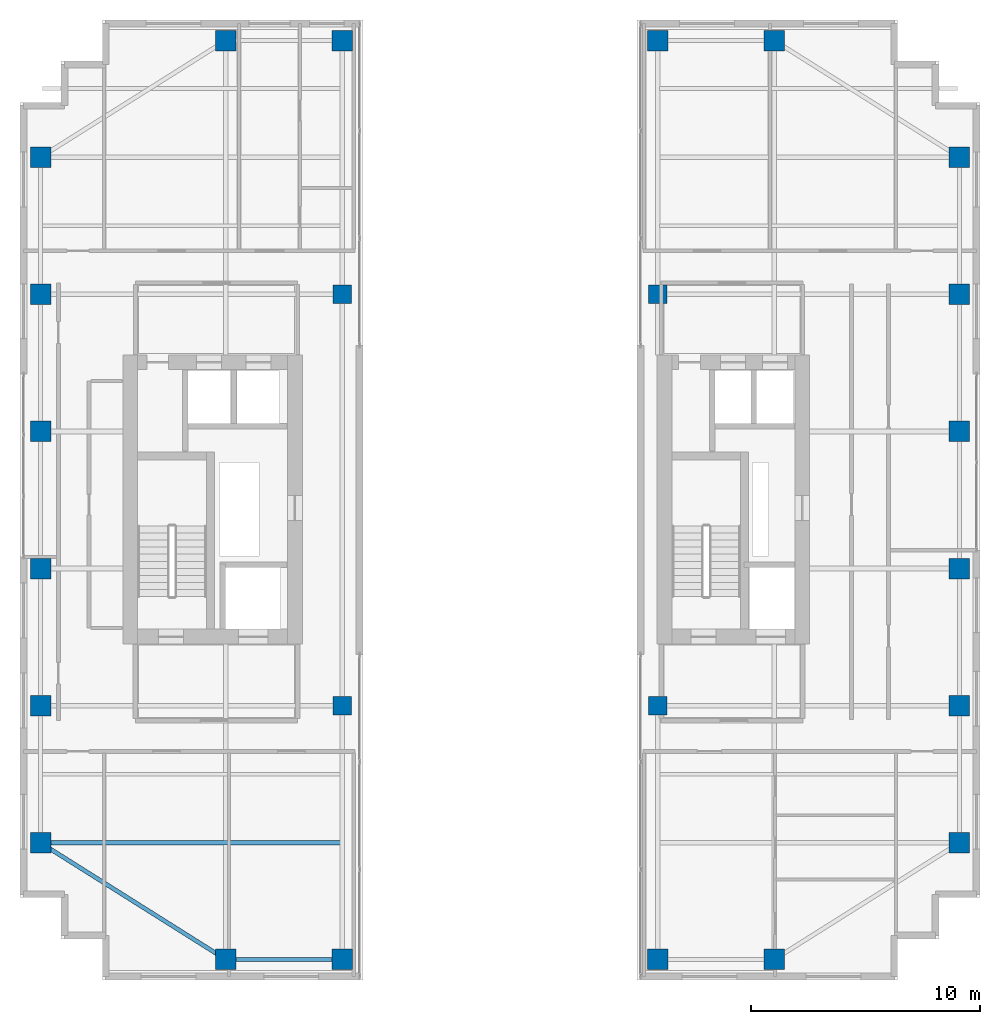
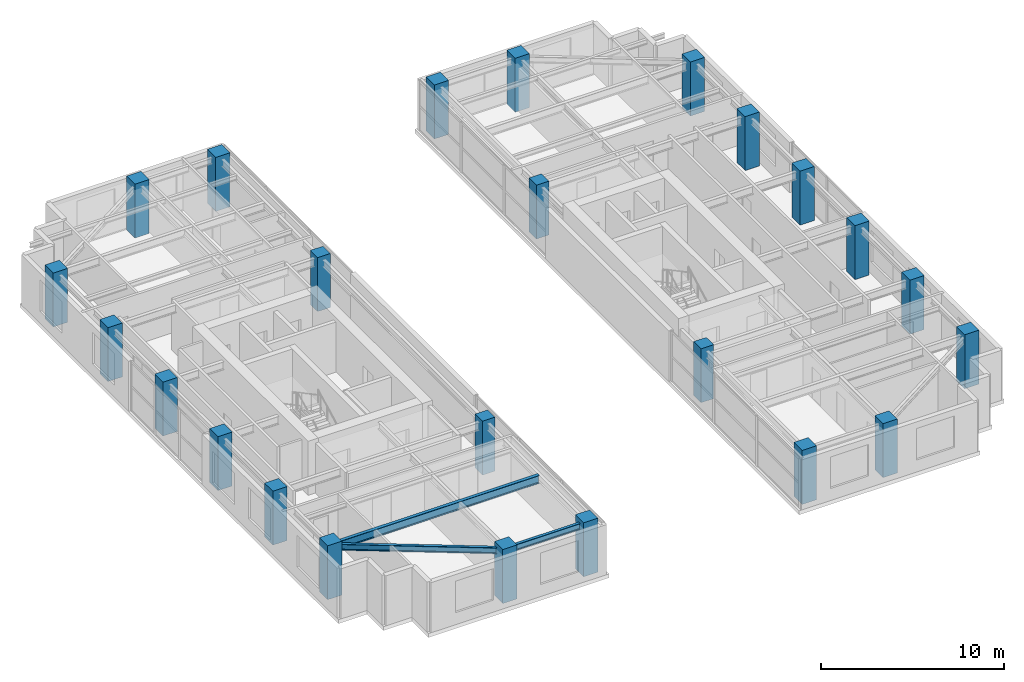
# One storey, part 1 of 22: 24 columns, 3 beams.
"""IFC4 building model written with IfcOpenShell, lengths in metres."""

from ifc_helpers import new_model, si_unit, direction, frame, origin, origin_2d, place, context, subcontext, project, spatial, rectangle, i_section, extrude, source, transform, mapped, material, material_profile, profile_set, type_object, element, save


model = new_model("IFC4")

# Units and contexts
model_context = context("Model", 3, precision=1e-05, world=origin(), true_north=direction((0.0, 1.0)))
body_context = subcontext(model_context, "Body", "Model", "MODEL_VIEW")
ifc_project = project(units=[si_unit("LENGTHUNIT", "METRE"), si_unit("AREAUNIT", "SQUARE_METRE"), si_unit("VOLUMEUNIT", "CUBIC_METRE"), si_unit("PLANEANGLEUNIT", "RADIAN"), si_unit("MASSUNIT", "GRAM", prefix="KILO")], contexts=[model_context])

# Site, building, storey
site_placement = place(None, origin())
site = spatial("IfcSite", under=ifc_project, at=site_placement, CompositionType="ELEMENT")
building_placement = place(site_placement, origin())
building = spatial("IfcBuilding", under=site, at=building_placement, Name="Khoralis Quay Care Tower", CompositionType="ELEMENT")
storey_placement = place(building_placement, frame((0.0, 0.0, 184.5)))
storey = spatial("IfcBuildingStorey", under=building, at=storey_placement, Name="L48", CompositionType="ELEMENT", Elevation=184.5)

# Columns
ifc_material_1 = material(Name="Concrete C65/80", Category="concrete")
ifc_material_profile_1 = material_profile(ifc_material_1, rectangle(XDim=0.89990234375, YDim=0.89990234375, at=origin_2d()), Name="Concrete C65/80")
ifc_profile_set_1 = profile_set([ifc_material_profile_1], Name="Concrete C65/80")
column_type_1 = type_object("IfcColumnType", Name="COL-C900", PredefinedType="COLUMN", material=ifc_profile_set_1)
shared_shape_1 = source(origin(), body_context, "Body", "SweptSolid", [
    extrude(rectangle(XDim=0.89990234375, YDim=0.89990234375, at=origin_2d()), origin(), (0.0, 0.0, 1.0), 3.60009765625),
])
for number, where, z_axis, x_axis, name in (
    (1, (12.0, 0.89990234375, 0.0), (0.0, 0.0, 1.0), (1.0, 0.0, 0.0), "COL-TWR-L48-01"),
    (2, (12.0, 41.10009765625, 0.0), (0.0, 0.0, 1.0), (1.0, 0.0, 0.0), "COL-TWR-L48-02"),
    (3, (17.10009765625, 0.89990234375, 0.0), (0.0, 0.0, 1.0), (1.0, 0.0, 0.0), "COL-TWR-L48-03"),
    (4, (17.10009765625, 41.10009765625, 0.0), (0.0, 0.0, 1.0), (1.0, 0.0, 0.0), "COL-TWR-L48-04"),
    (5, (30.89990234375, 0.89990234375, 0.0), (0.0, 0.0, 1.0), (1.0, 0.0, 0.0), "COL-TWR-L48-05"),
    (6, (30.89990234375, 41.10009765625, 0.0), (0.0, 0.0, 1.0), (1.0, 0.0, 0.0), "COL-TWR-L48-06"),
    (7, (36.0, 0.89990234375, 0.0), (0.0, 0.0, 1.0), (1.0, 0.0, 0.0), "COL-TWR-L48-07"),
    (8, (36.0, 41.10009765625, 0.0), (0.0, 0.0, 1.0), (1.0, 0.0, 0.0), "COL-TWR-L48-08"),
    (9, (3.89990234375, 6.0, 0.0), (0.0, 0.0, 1.0), (1.0, 0.0, 0.0), "COL-TWR-L48-09"),
    (10, (44.10009765625, 6.0, 0.0), (0.0, 0.0, 1.0), (1.0, 0.0, 0.0), "COL-TWR-L48-10"),
    (11, (3.89990234375, 12.0, 0.0), (0.0, 0.0, 1.0), (1.0, 0.0, 0.0), "COL-TWR-L48-11"),
    (12, (44.10009765625, 12.0, 0.0), (0.0, 0.0, 1.0), (1.0, 0.0, 0.0), "COL-TWR-L48-12"),
    (13, (3.89990234375, 18.0, 0.0), (0.0, 0.0, 1.0), (1.0, 0.0, 0.0), "COL-TWR-L48-13"),
    (14, (44.10009765625, 18.0, 0.0), (0.0, 0.0, 1.0), (1.0, 0.0, 0.0), "COL-TWR-L48-14"),
    (15, (3.89990234375, 24.0, 0.0), (0.0, 0.0, 1.0), (1.0, 0.0, 0.0), "COL-TWR-L48-15"),
    (16, (44.10009765625, 24.0, 0.0), (0.0, 0.0, 1.0), (1.0, 0.0, 0.0), "COL-TWR-L48-16"),
    (17, (3.89990234375, 30.0, 0.0), (0.0, 0.0, 1.0), (1.0, 0.0, 0.0), "COL-TWR-L48-17"),
    (18, (44.10009765625, 30.0, 0.0), (0.0, 0.0, 1.0), (1.0, 0.0, 0.0), "COL-TWR-L48-18"),
    (19, (3.89990234375, 36.0, 0.0), (0.0, 0.0, 1.0), (1.0, 0.0, 0.0), "COL-TWR-L48-19"),
    (20, (44.10009765625, 36.0, 0.0), (0.0, 0.0, 1.0), (1.0, 0.0, 0.0), "COL-TWR-L48-20"),
):
    element("IfcColumn", number, at=place(storey_placement, frame(where, z_axis=z_axis, x_axis=x_axis)), inside=storey, type_object=column_type_1, Name=name, PredefinedType="COLUMN", context=body_context, shape_type="MappedRepresentation", body=[
        mapped(shared_shape_1, transform((0.0, 0.0, 0.0), scale=1.0)),
    ])
ifc_material_2 = material(Name="Concrete C50/60", Category="concrete")
ifc_material_profile_2 = material_profile(ifc_material_2, rectangle(XDim=0.800048828125, YDim=0.800048828125, at=origin_2d()), Name="Concrete C50/60")
ifc_profile_set_2 = profile_set([ifc_material_profile_2], Name="Concrete C50/60")
column_type_2 = type_object("IfcColumnType", Name="COL-C800", PredefinedType="COLUMN", material=ifc_profile_set_2)
shared_shape_2 = source(origin(), body_context, "Body", "SweptSolid", [
    extrude(rectangle(XDim=0.800048828125, YDim=0.800048828125, at=origin_2d()), origin(), (0.0, 0.0, 1.0), 3.60009765625),
])
for number, where, z_axis, x_axis, name in (
    (21, (17.10009765625, 12.0, 0.0), (0.0, 0.0, 1.0), (1.0, 0.0, 0.0), "COL-TWR-L48-21"),
    (22, (17.10009765625, 30.0, 0.0), (0.0, 0.0, 1.0), (1.0, 0.0, 0.0), "COL-TWR-L48-22"),
    (23, (30.89990234375, 12.0, 0.0), (0.0, 0.0, 1.0), (1.0, 0.0, 0.0), "COL-TWR-L48-23"),
    (24, (30.89990234375, 30.0, 0.0), (0.0, 0.0, 1.0), (1.0, 0.0, 0.0), "COL-TWR-L48-24"),
):
    element("IfcColumn", number, at=place(storey_placement, frame(where, z_axis=z_axis, x_axis=x_axis)), inside=storey, type_object=column_type_2, Name=name, PredefinedType="COLUMN", context=body_context, shape_type="MappedRepresentation", body=[
        mapped(shared_shape_2, transform((0.0, 0.0, 0.0), scale=1.0)),
    ])

# Beams
ifc_material_3 = material(Name="Steel S355", Category="steel")
ifc_material_profile_3 = material_profile(ifc_material_3, i_section(OverallWidth=0.179931640625, OverallDepth=0.39990234375, WebThickness=0.008544921875, FlangeThickness=0.013427734375, FilletRadius=0.02099609375, at=origin_2d()), Name="Steel S355")
ifc_profile_set_3 = profile_set([ifc_material_profile_3], Name="Steel S355")
beam_type_1 = type_object("IfcBeamType", Name="BM-IPE400", PredefinedType="SPANDREL", material=ifc_profile_set_3)
shared_shape_3 = source(origin(), body_context, "Body", "SweptSolid", [
    extrude(i_section(OverallWidth=0.179931640625, OverallDepth=0.39990234375, WebThickness=0.008544921875, FlangeThickness=0.013427734375, FilletRadius=0.02099609375, at=origin_2d()), origin(), (0.0, 0.0, 1.0), 5.10009765625),
])
beam_1_placement = place(storey_placement, frame((12.0, 0.89990234375, 3.139892578125), z_axis=(1.0, 0.0, 0.0), x_axis=(0.0, 1.0, 0.0)))
element("IfcBeam", 25, at=beam_1_placement, inside=storey, type_object=beam_type_1, Name="BM-TSP-L48-01", PredefinedType="SPANDREL", context=body_context, shape_type="MappedRepresentation", body=[
    mapped(shared_shape_3, transform((0.0, 0.0, 0.0), scale=1.0)),
])
shared_shape_4 = source(origin(), body_context, "Body", "SweptSolid", [
    extrude(i_section(OverallWidth=0.179931640625, OverallDepth=0.39990234375, WebThickness=0.008544921875, FlangeThickness=0.013427734375, FilletRadius=0.02099609375, at=origin_2d()), origin(), (0.0, 0.0, 1.0), 9.572021484375),
])
beam_2_placement = place(storey_placement, frame((12.0, 0.89990234375, 3.139892578125), z_axis=(-0.846231136359, 0.532815975602, 0.0), x_axis=(-0.532815975602, -0.846231136359, 0.0)))
element("IfcBeam", 26, at=beam_2_placement, inside=storey, type_object=beam_type_1, Name="BM-TCR-L48-15", PredefinedType="SPANDREL", context=body_context, shape_type="MappedRepresentation", body=[
    mapped(shared_shape_4, transform((0.0, 0.0, 0.0), scale=1.0)),
])
ifc_material_profile_4 = material_profile(ifc_material_3, i_section(OverallWidth=0.208984375, OverallDepth=0.532958984375, WebThickness=0.01025390625, FlangeThickness=0.015625, FilletRadius=0.01611328125, at=origin_2d()), Name="Steel S355")
ifc_profile_set_4 = profile_set([ifc_material_profile_4], Name="Steel S355")
beam_type_2 = type_object("IfcBeamType", Name="BM-W530X92", PredefinedType="BEAM", material=ifc_profile_set_4)
shared_shape_5 = source(origin(), body_context, "Body", "SweptSolid", [
    extrude(i_section(OverallWidth=0.208984375, OverallDepth=0.532958984375, WebThickness=0.01025390625, FlangeThickness=0.015625, FilletRadius=0.01611328125, at=origin_2d()), origin(), (0.0, 0.0, 1.0), 13.1162109375),
])
beam_3_placement = place(storey_placement, frame((3.89990234375, 6.0, 3.073486328125), z_axis=(1.0, 0.0, 0.0), x_axis=(0.0, 1.0, 0.0)))
element("IfcBeam", 27, at=beam_3_placement, inside=storey, type_object=beam_type_2, Name="BM-TGXW-L48-60", PredefinedType="BEAM", context=body_context, shape_type="MappedRepresentation", body=[
    mapped(shared_shape_5, transform((0.0, 0.0, 0.0), scale=1.0)),
])

save(model, "model.ifc")
